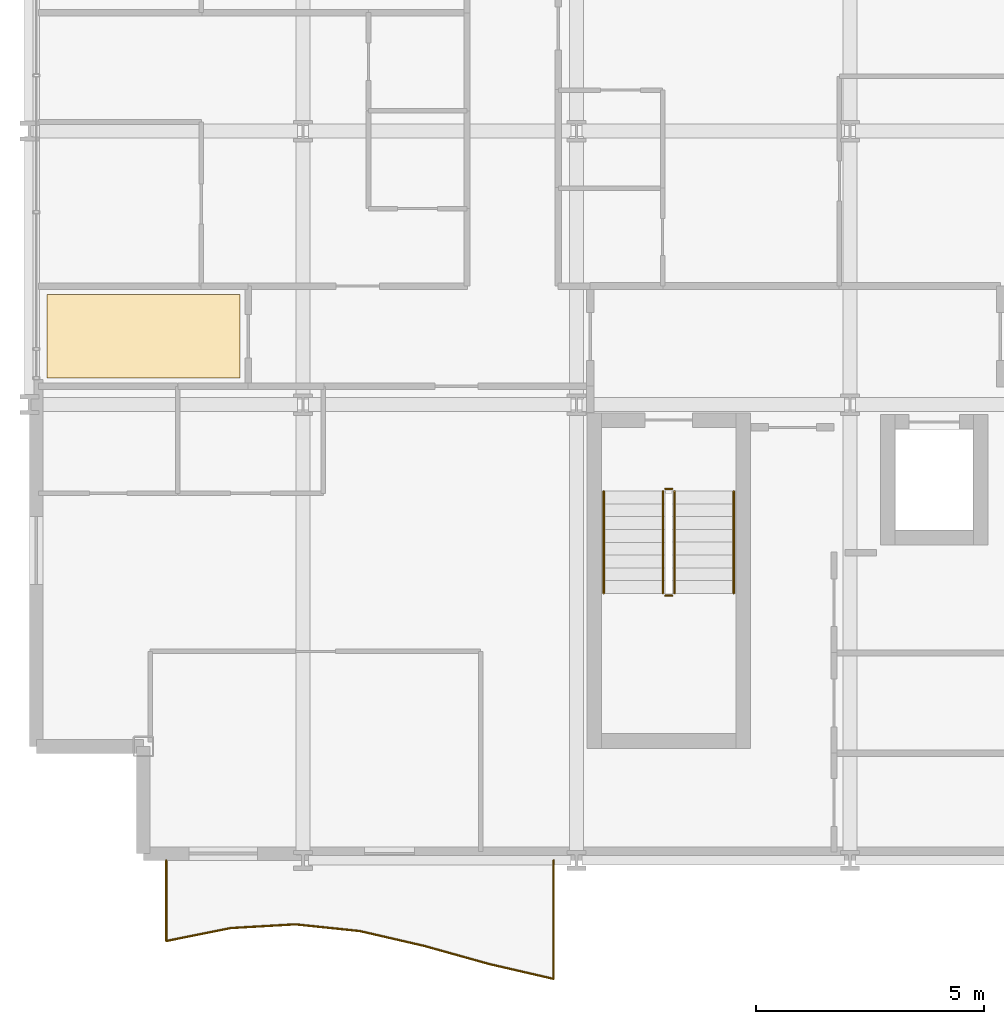
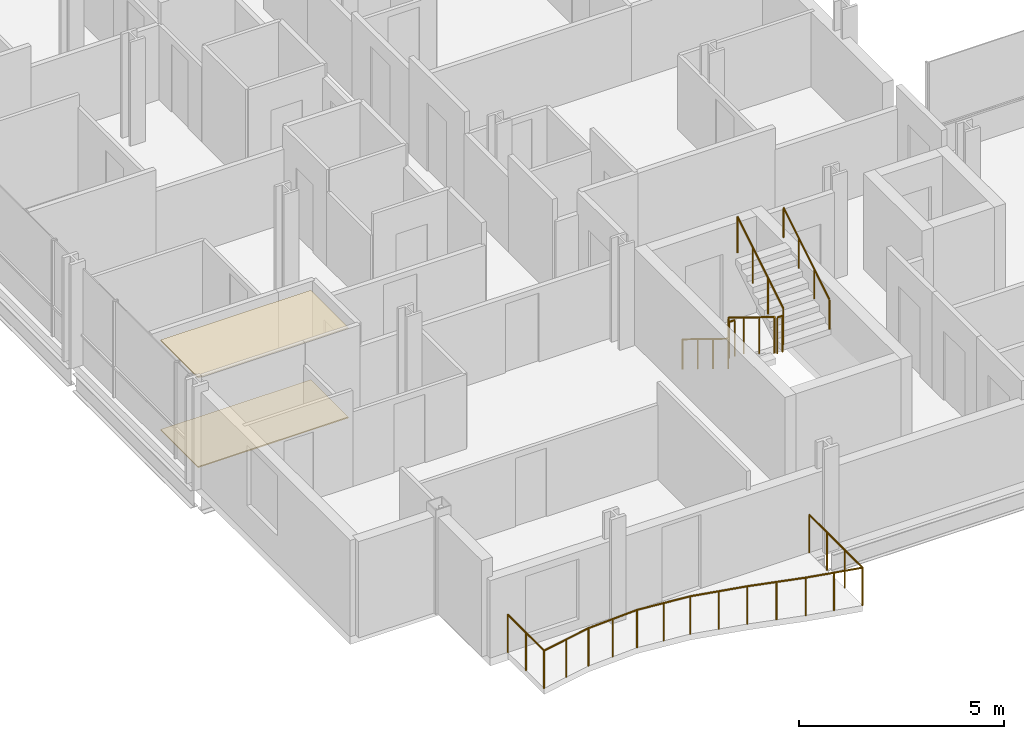
# One storey, part 38 of 40: 7 railings, 2 coverings.
"""IFC4 building model written with IfcOpenShell, lengths in metres."""

from ifc_helpers import new_model, si_unit, direction, frame, origin, origin_2d, place, context, subcontext, project, spatial, polyline, circle, outline, extrude, material, layer, layer_set, type_object, element, save


model = new_model("IFC4")

# Units and contexts
model_context = context("Model", 3, precision=1e-05, world=origin(), true_north=direction((0.0, 1.0)))
body_context = subcontext(model_context, "Body", "Model", "MODEL_VIEW")
ifc_project = project(units=[si_unit("LENGTHUNIT", "METRE"), si_unit("AREAUNIT", "SQUARE_METRE"), si_unit("VOLUMEUNIT", "CUBIC_METRE"), si_unit("PLANEANGLEUNIT", "RADIAN"), si_unit("MASSUNIT", "GRAM", prefix="KILO")], contexts=[model_context])

# Site, building, storey
site_placement = place(None, origin())
site = spatial("IfcSite", under=ifc_project, at=site_placement, CompositionType="ELEMENT")
building_placement = place(site_placement, origin())
building = spatial("IfcBuilding", under=site, at=building_placement, Name="Brevholm Reach", CompositionType="ELEMENT")
storey_placement = place(building_placement, frame((0.0, 0.0, 31.10009765625)))
storey = spatial("IfcBuildingStorey", under=building, at=storey_placement, Name="L07", CompositionType="ELEMENT", Elevation=31.10009765625)

# Coverings
ifc_material_1 = material(Name="Moisture-Resistant Skimmed Gypsum Plasterboard Ceiling", Category="gypsum")
ifc_layer_1 = layer(ifc_material_1, 0.030029296875)
ifc_layer_set_1 = layer_set([ifc_layer_1], Name="Moisture-Resistant Skimmed Gypsum Plasterboard Ceiling")
covering_type_1 = type_object("IfcCoveringType", Name="COV-CLG-GYP", PredefinedType="CEILING", material=ifc_layer_set_1)
covering_1_placement = place(storey_placement, frame((0.0, 0.0, 2.669921875)))
element("IfcCovering", 1, at=covering_1_placement, inside=storey, type_object=covering_type_1, Name="L07 Suspended Ceiling L07-32", PredefinedType="CEILING", context=body_context, shape_type="SweptSolid", body=[
    extrude(outline(polyline([(0.3798828125, 12.419921875), (4.615966796875, 12.419921875), (4.615966796875, 10.583984375), (0.3798828125, 10.583984375), (0.3798828125, 12.419921875)])), origin(), (0.0, 0.0, 1.0), 0.030029296875),
])
ifc_material_2 = material(Name="Honed Portland-Aggregate Resin Terrazzo Flooring", Category="concrete")
ifc_layer_2 = layer(ifc_material_2, 0.031982421875)
ifc_layer_set_2 = layer_set([ifc_layer_2], Name="Honed Portland-Aggregate Resin Terrazzo Flooring")
covering_type_2 = type_object("IfcCoveringType", Name="COV-FLR-TRZ", PredefinedType="FLOORING", material=ifc_layer_set_2)
covering_2_placement = place(storey_placement, origin())
element("IfcCovering", 2, at=covering_2_placement, inside=storey, type_object=covering_type_2, Name="L07 Floor Finish L07-32", PredefinedType="FLOORING", context=body_context, shape_type="SweptSolid", body=[
    extrude(outline(polyline([(0.3798828125, 12.419921875), (4.615966796875, 12.419921875), (4.615966796875, 10.583984375), (0.3798828125, 10.583984375), (0.3798828125, 12.419921875)])), origin(), (0.0, 0.0, 1.0), 0.031982421875),
])

# Railings
ifc_material_3 = material(Name="Brushed Stainless Steel EN 1.4401 and Laminated Glass", Category="steel")
railing_type_1 = type_object("IfcRailingType", Name="RAL-BALC-1150", PredefinedType="BALUSTRADE", material=ifc_material_3)
railing_1_placement = place(storey_placement, frame((3.0, 0.0, 0.0)))
element("IfcRailing", 3, at=railing_1_placement, inside=storey, type_object=railing_type_1, Name="L07 Guard Balustrade RAL-L07-BAL-SW", PredefinedType="BALUSTRADE", context=body_context, shape_type="SweptSolid", body=[
    extrude(circle(Radius=0.02392578125, at=origin_2d()), frame((0.0, 0.0, 1.1259765625), z_axis=(0.0, -1.0, 0.0), x_axis=(1.0, 0.0, 0.0)), (0.0, 0.0, 1.0), 1.7685546875),
    extrude(circle(Radius=0.02392578125, at=origin_2d()), frame((0.0, -1.7685546875, 1.1259765625), z_axis=(0.980502614423, 0.196506038355, 0.0), x_axis=(-0.196506038355, 0.980502614423, 0.0)), (0.0, 0.0, 1.0), 1.44482421875),
    extrude(circle(Radius=0.02392578125, at=origin_2d()), frame((1.416748046875, -1.484619140625, 1.1259765625), z_axis=(0.998327360231, 0.057814200799, 0.0), x_axis=(-0.057814200799, 0.998327360231, 0.0)), (0.0, 0.0, 1.0), 1.4189453125),
    extrude(circle(Radius=0.02392578125, at=origin_2d()), frame((2.833251953125, -1.402587890625, 1.1259765625), z_axis=(0.994609205974, -0.103694394212, 0.0), x_axis=(0.103694394212, 0.994609205974, 0.0)), (0.0, 0.0, 1.0), 1.42431640625),
    extrude(circle(Radius=0.02392578125, at=origin_2d()), frame((4.25, -1.55029296875, 1.1259765625), z_axis=(0.974323236677, -0.225153792932, 0.0), x_axis=(0.225153792932, 0.974323236677, 0.0)), (0.0, 0.0, 1.0), 1.4541015625),
    extrude(circle(Radius=0.02392578125, at=origin_2d()), frame((5.666748046875, -1.877685546875, 1.1259765625), z_axis=(0.963289212232, -0.268465814578, 0.0), x_axis=(0.268465814578, 0.963289212232, 0.0)), (0.0, 0.0, 1.0), 1.470458984375),
    extrude(circle(Radius=0.02392578125, at=origin_2d()), frame((7.083251953125, -2.2724609375, 1.1259765625), z_axis=(0.974360057668, -0.224994395533, 0.0), x_axis=(0.224994395533, 0.974360057668, 0.0)), (0.0, 0.0, 1.0), 1.4541015625),
    extrude(circle(Radius=0.02392578125, at=origin_2d()), frame((8.5, -2.599609375, 1.1259765625), z_axis=(0.0, 1.0, 0.0), x_axis=(-1.0, 0.0, 0.0)), (0.0, 0.0, 1.0), 2.599609375),
    extrude(circle(Radius=0.02099609375, at=origin_2d()), origin(), (0.0, 0.0, 1.0), 1.101806640625),
    extrude(circle(Radius=0.02099609375, at=origin_2d()), frame((0.0, -0.88427734375, 0.0)), (0.0, 0.0, 1.0), 1.101806640625),
    extrude(circle(Radius=0.02099609375, at=origin_2d()), frame((0.0, -1.7685546875, 0.0)), (0.0, 0.0, 1.0), 1.101806640625),
    extrude(circle(Radius=0.02099609375, at=origin_2d()), frame((0.70849609375, -1.62646484375, 0.0)), (0.0, 0.0, 1.0), 1.101806640625),
    extrude(circle(Radius=0.02099609375, at=origin_2d()), frame((1.416748046875, -1.484619140625, 0.0)), (0.0, 0.0, 1.0), 1.101806640625),
    extrude(circle(Radius=0.02099609375, at=origin_2d()), frame((2.125, -1.443603515625, 0.0)), (0.0, 0.0, 1.0), 1.101806640625),
    extrude(circle(Radius=0.02099609375, at=origin_2d()), frame((2.833251953125, -1.402587890625, 0.0)), (0.0, 0.0, 1.0), 1.101806640625),
    extrude(circle(Radius=0.02099609375, at=origin_2d()), frame((3.54150390625, -1.4765625, 0.0)), (0.0, 0.0, 1.0), 1.101806640625),
    extrude(circle(Radius=0.02099609375, at=origin_2d()), frame((4.25, -1.55029296875, 0.0)), (0.0, 0.0, 1.0), 1.101806640625),
    extrude(circle(Radius=0.02099609375, at=origin_2d()), frame((4.95849609375, -1.7138671875, 0.0)), (0.0, 0.0, 1.0), 1.101806640625),
    extrude(circle(Radius=0.02099609375, at=origin_2d()), frame((5.666748046875, -1.877685546875, 0.0)), (0.0, 0.0, 1.0), 1.101806640625),
    extrude(circle(Radius=0.02099609375, at=origin_2d()), frame((6.375, -2.0751953125, 0.0)), (0.0, 0.0, 1.0), 1.101806640625),
    extrude(circle(Radius=0.02099609375, at=origin_2d()), frame((7.083251953125, -2.2724609375, 0.0)), (0.0, 0.0, 1.0), 1.101806640625),
    extrude(circle(Radius=0.02099609375, at=origin_2d()), frame((7.79150390625, -2.43603515625, 0.0)), (0.0, 0.0, 1.0), 1.101806640625),
    extrude(circle(Radius=0.02099609375, at=origin_2d()), frame((8.5, -2.599609375, 0.0)), (0.0, 0.0, 1.0), 1.101806640625),
    extrude(circle(Radius=0.02099609375, at=origin_2d()), frame((8.5, -1.733154296875, 0.0)), (0.0, 0.0, 1.0), 1.101806640625),
    extrude(circle(Radius=0.02099609375, at=origin_2d()), frame((8.5, -0.866455078125, 0.0)), (0.0, 0.0, 1.0), 1.101806640625),
    extrude(circle(Radius=0.02099609375, at=origin_2d()), frame((8.5, 0.0, 0.0)), (0.0, 0.0, 1.0), 1.101806640625),
])
ifc_material_4 = material(Name="Brushed Stainless Steel EN 1.4401 Continuous Handrail", Category="steel")
railing_type_2 = type_object("IfcRailingType", Name="RAL-HND-950", PredefinedType="HANDRAIL", material=ifc_material_4)
railing_2_placement = place(storey_placement, frame((12.60009765625, 8.10009765625, 0.172119140625)))
element("IfcRailing", 4, at=railing_2_placement, inside=storey, type_object=railing_type_2, Name="L07 ST-1 stair handrail 1", PredefinedType="HANDRAIL", context=body_context, shape_type="SweptSolid", body=[
    extrude(circle(Radius=0.02392578125, at=origin_2d()), frame((0.0, 0.0, 0.8857421875), z_axis=(0.0, -0.85178898068, 0.523885037382), x_axis=(1.0, 0.0, 0.0)), (0.0, 0.0, 1.0), 2.629638671875),
    extrude(circle(Radius=0.02099609375, at=origin_2d()), origin(), (0.0, 0.0, 1.0), 0.86181640625),
    extrude(circle(Radius=0.02099609375, at=origin_2d()), frame((0.0, -0.74658203125, 0.459228515625)), (0.0, 0.0, 1.0), 0.86181640625),
    extrude(circle(Radius=0.02099609375, at=origin_2d()), frame((0.0, -1.493408203125, 0.91845703125)), (0.0, 0.0, 1.0), 0.86181640625),
    extrude(circle(Radius=0.02099609375, at=origin_2d()), frame((0.0, -2.239990234375, 1.377685546875)), (0.0, 0.0, 1.0), 0.86181640625),
])
railing_3_placement = place(storey_placement, frame((15.449951171875, 5.860107421875, 1.72216796875)))
element("IfcRailing", 5, at=railing_3_placement, inside=storey, type_object=railing_type_2, Name="L07 ST-1 stair handrail 2", PredefinedType="HANDRAIL", context=body_context, shape_type="SweptSolid", body=[
    extrude(circle(Radius=0.02392578125, at=origin_2d()), frame((0.0, 0.0, 0.8857421875), z_axis=(0.0, 0.85178898068, 0.523885037382), x_axis=(-1.0, 0.0, 0.0)), (0.0, 0.0, 1.0), 2.629638671875),
    extrude(circle(Radius=0.02099609375, at=origin_2d()), origin(), (0.0, 0.0, 1.0), 0.86181640625),
    extrude(circle(Radius=0.02099609375, at=origin_2d()), frame((0.0, 0.74658203125, 0.459228515625)), (0.0, 0.0, 1.0), 0.86181640625),
    extrude(circle(Radius=0.02099609375, at=origin_2d()), frame((0.0, 1.493408203125, 0.91845703125)), (0.0, 0.0, 1.0), 0.86181640625),
    extrude(circle(Radius=0.02099609375, at=origin_2d()), frame((0.0, 2.239990234375, 1.377685546875)), (0.0, 0.0, 1.0), 0.86181640625),
])
ifc_material_5 = material(Name="Painted Tubular Galvanised Steel S275JR Stair Guard", Category="steel")
railing_type_3 = type_object("IfcRailingType", Name="RAL-STG-1120", PredefinedType="BALUSTRADE", material=ifc_material_5)
railing_4_placement = place(storey_placement, frame((13.89990234375, 8.10009765625, 0.172119140625)))
element("IfcRailing", 6, at=railing_4_placement, inside=storey, type_object=railing_type_3, Name="L07 ST-1 stair guard 1", PredefinedType="BALUSTRADE", context=body_context, shape_type="SweptSolid", body=[
    extrude(circle(Radius=0.02392578125, at=origin_2d()), frame((0.0, 0.0, 1.076171875), z_axis=(0.0, -0.85178898068, 0.523885037382), x_axis=(1.0, 0.0, 0.0)), (0.0, 0.0, 1.0), 2.629638671875),
    extrude(circle(Radius=0.02099609375, at=origin_2d()), origin(), (0.0, 0.0, 1.0), 1.052001953125),
    extrude(circle(Radius=0.02099609375, at=origin_2d()), frame((0.0, -0.74658203125, 0.459228515625)), (0.0, 0.0, 1.0), 1.052001953125),
    extrude(circle(Radius=0.02099609375, at=origin_2d()), frame((0.0, -1.493408203125, 0.91845703125)), (0.0, 0.0, 1.0), 1.052001953125),
    extrude(circle(Radius=0.02099609375, at=origin_2d()), frame((0.0, -2.239990234375, 1.377685546875)), (0.0, 0.0, 1.0), 1.052001953125),
])
railing_5_placement = place(storey_placement, frame((13.949951171875, 5.81005859375, 1.5498046875)))
element("IfcRailing", 7, at=railing_5_placement, inside=storey, type_object=railing_type_3, Name="L07 ST-1 stair guard 2", PredefinedType="BALUSTRADE", context=body_context, shape_type="SweptSolid", body=[
    extrude(circle(Radius=0.02392578125, at=origin_2d()), frame((0.0, 0.0, 1.076171875), z_axis=(1.0, 0.0, 0.0), x_axis=(0.0, 1.0, 0.0)), (0.0, 0.0, 1.0), 0.150146484375),
    extrude(circle(Radius=0.02099609375, at=origin_2d()), origin(), (0.0, 0.0, 1.0), 1.052001953125),
    extrude(circle(Radius=0.02099609375, at=origin_2d()), frame((0.150146484375, 0.0, 0.0)), (0.0, 0.0, 1.0), 1.052001953125),
])
railing_6_placement = place(storey_placement, frame((14.14990234375, 5.860107421875, 1.72216796875)))
element("IfcRailing", 8, at=railing_6_placement, inside=storey, type_object=railing_type_3, Name="L07 ST-1 stair guard 3", PredefinedType="BALUSTRADE", context=body_context, shape_type="SweptSolid", body=[
    extrude(circle(Radius=0.02392578125, at=origin_2d()), frame((0.0, 0.0, 1.076171875), z_axis=(0.0, 0.85178898068, 0.523885037382), x_axis=(-1.0, 0.0, 0.0)), (0.0, 0.0, 1.0), 2.629638671875),
    extrude(circle(Radius=0.02099609375, at=origin_2d()), origin(), (0.0, 0.0, 1.0), 1.052001953125),
    extrude(circle(Radius=0.02099609375, at=origin_2d()), frame((0.0, 0.74658203125, 0.459228515625)), (0.0, 0.0, 1.0), 1.052001953125),
    extrude(circle(Radius=0.02099609375, at=origin_2d()), frame((0.0, 1.493408203125, 0.91845703125)), (0.0, 0.0, 1.0), 1.052001953125),
    extrude(circle(Radius=0.02099609375, at=origin_2d()), frame((0.0, 2.239990234375, 1.377685546875)), (0.0, 0.0, 1.0), 1.052001953125),
])
railing_7_placement = place(storey_placement, frame((13.949951171875, 8.14990234375, 0.0)))
element("IfcRailing", 9, at=railing_7_placement, inside=storey, type_object=railing_type_3, Name="L07 ST-1 stair guard 4", PredefinedType="BALUSTRADE", context=body_context, shape_type="SweptSolid", body=[
    extrude(circle(Radius=0.02392578125, at=origin_2d()), frame((0.0, 0.0, 1.076171875), z_axis=(1.0, 0.0, 0.0), x_axis=(0.0, 1.0, 0.0)), (0.0, 0.0, 1.0), 0.150146484375),
    extrude(circle(Radius=0.02099609375, at=origin_2d()), origin(), (0.0, 0.0, 1.0), 1.052001953125),
    extrude(circle(Radius=0.02099609375, at=origin_2d()), frame((0.150146484375, 0.0, 0.0)), (0.0, 0.0, 1.0), 1.052001953125),
])

save(model, "model.ifc")
